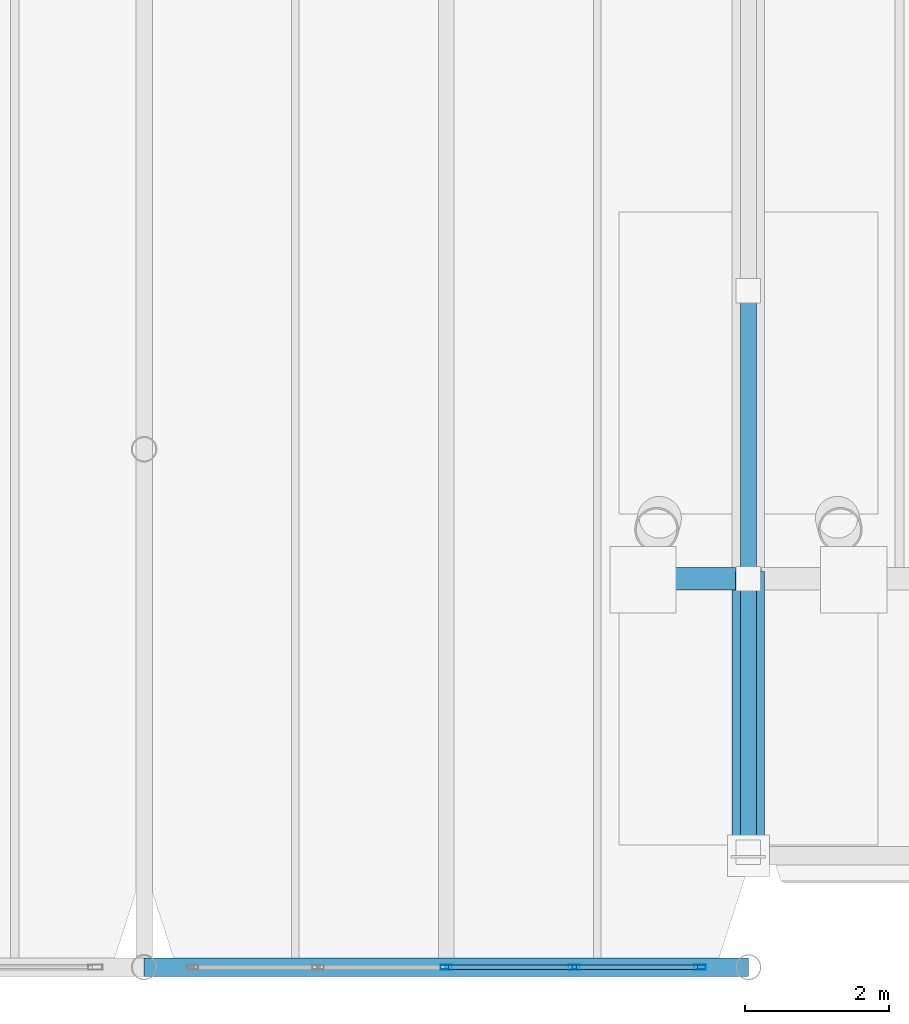
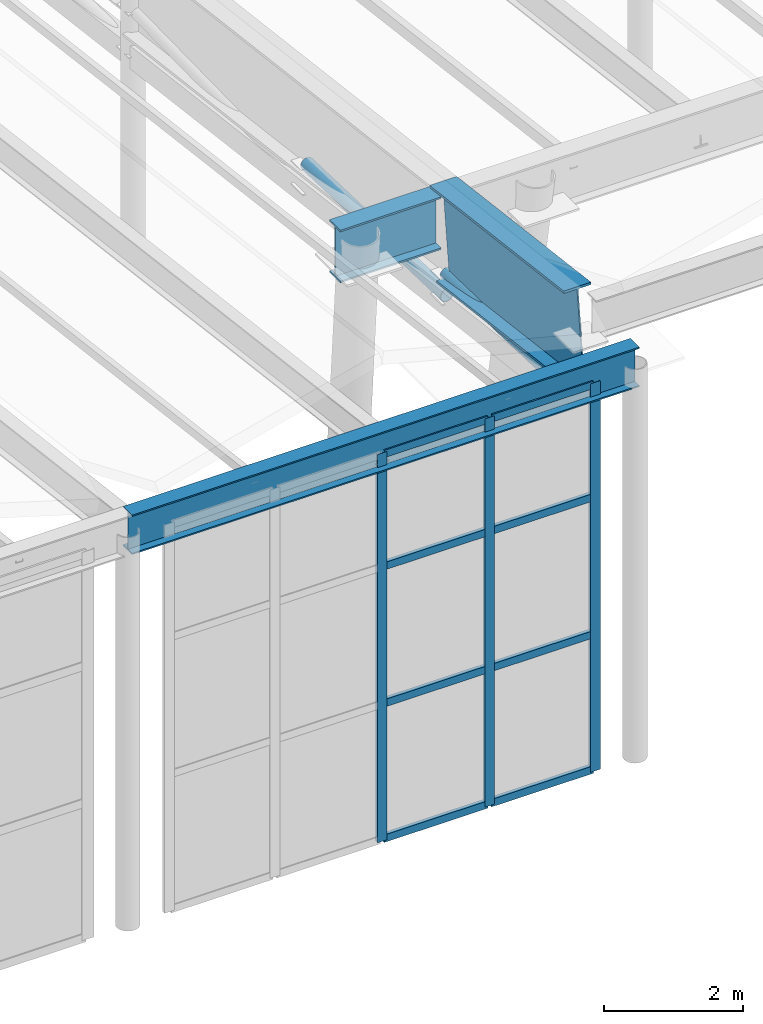
# One storey, part 4 of 14: 13 members, 3 beams, 1 element without a shape of its own.
"""IFC4 building model written with IfcOpenShell, lengths in metres."""

from ifc_helpers import new_model, si_unit, direction, frame, origin, origin_2d, place, context, subcontext, project, spatial, hollow_rectangle, hollow_circle, i_section, extrude, material, layer, layer_set, material_profile, profile_set, type_object, element, aggregate, save


model = new_model("IFC4")

# Units and contexts
model_context = context("Model", 3, precision=1e-05, world=origin(), true_north=direction((0.0, 1.0)))
body_context = subcontext(model_context, "Body", "Model", "MODEL_VIEW")
ifc_project = project(units=[si_unit("LENGTHUNIT", "METRE"), si_unit("AREAUNIT", "SQUARE_METRE"), si_unit("VOLUMEUNIT", "CUBIC_METRE"), si_unit("PLANEANGLEUNIT", "RADIAN"), si_unit("MASSUNIT", "GRAM", prefix="KILO")], contexts=[model_context])

# Site, building, storey
site_placement = place(None, origin())
site = spatial("IfcSite", under=ifc_project, at=site_placement, CompositionType="ELEMENT")
building_placement = place(site_placement, origin())
building = spatial("IfcBuilding", under=site, at=building_placement, Name="Xicomal Pleat Aquarium", CompositionType="ELEMENT")
storey_placement = place(building_placement, frame((0.0, 0.0, 24.0)))
storey = spatial("IfcBuildingStorey", under=building, at=storey_placement, Name="RF", CompositionType="ELEMENT", Elevation=24.0)

# Beams
ifc_material_1 = material(Name="Structural steel A992 Gr 50", Category="steel")
ifc_material_profile_1 = material_profile(ifc_material_1, i_section(OverallWidth=0.449951171875, OverallDepth=1.60009765625, WebThickness=0.02197265625, FlangeThickness=0.0400390625, at=origin_2d()), Name="IR 1600x540")
ifc_profile_set_1 = profile_set([ifc_material_profile_1], Name="Structural steel A992 Gr 50")
beam_type_1 = type_object("IfcBeamType", Name="BM-STL-IR1600", PredefinedType="BEAM", material=ifc_profile_set_1)
beam_1_placement = place(storey_placement, frame((18.60009765625, 2.35009765625, 6.426025390625), z_axis=(0.0, 0.992224543201, -0.124460659931), x_axis=(-1.0, 0.0, 0.0)))
element("IfcBeam", 1, at=beam_1_placement, inside=storey, type_object=beam_type_1, Name="RF pleated canopy girder 03-TIP", PredefinedType="BEAM", context=body_context, shape_type="SweptSolid", body=[
    extrude(i_section(OverallWidth=0.449951171875, OverallDepth=1.60009765625, WebThickness=0.02197265625, FlangeThickness=0.0400390625, at=origin_2d()), origin(), (0.0, 0.0, 1.0), 3.880126953125),
])
ifc_material_2 = material(Name="Structural steel A992 Gr 50", Category="steel")
ifc_material_profile_2 = material_profile(ifc_material_2, i_section(OverallWidth=0.256103515625, OverallDepth=0.693115234375, WebThickness=0.014404296875, FlangeThickness=0.023681640625, at=origin_2d()), Name="IR 690x170")
ifc_profile_set_2 = profile_set([ifc_material_profile_2], Name="Structural steel A992 Gr 50")
beam_type_2 = type_object("IfcBeamType", Name="BM-STL-IR690", PredefinedType="BEAM", material=ifc_profile_set_2)
beam_2_placement = place(storey_placement, frame((10.199951171875, 0.800048828125, 6.89111328125), z_axis=(1.0, 0.0, 0.0), x_axis=(0.0, 1.0, 0.0)))
element("IfcBeam", 2, at=beam_2_placement, inside=storey, type_object=beam_type_2, Name="RF T1 ring girder S 02-03", PredefinedType="BEAM", context=body_context, shape_type="SweptSolid", body=[
    extrude(i_section(OverallWidth=0.256103515625, OverallDepth=0.693115234375, WebThickness=0.014404296875, FlangeThickness=0.023681640625, at=origin_2d()), origin(), (0.0, 0.0, 1.0), 8.400146484375),
])
ifc_material_3 = material(Name="Structural steel A992 Gr 50", Category="steel")
ifc_material_profile_3 = material_profile(ifc_material_3, i_section(OverallWidth=0.306884765625, OverallDepth=0.923095703125, WebThickness=0.018310546875, FlangeThickness=0.030029296875, at=origin_2d()), Name="IR 920x271")
ifc_profile_set_3 = profile_set([ifc_material_profile_3], Name="Structural steel A992 Gr 50")
beam_type_3 = type_object("IfcBeamType", Name="BM-STL-IR920", PredefinedType="BEAM", material=ifc_profile_set_3)
beam_3_placement = place(storey_placement, frame((16.75, 6.199951171875, 6.212890625), z_axis=(1.0, 0.0, 0.0), x_axis=(0.0, 1.0, 0.0)))
element("IfcBeam", 3, at=beam_3_placement, inside=storey, type_object=beam_type_3, Name="Forecourt splayed column prop girder 03W", PredefinedType="BEAM", context=body_context, shape_type="SweptSolid", body=[
    extrude(i_section(OverallWidth=0.306884765625, OverallDepth=0.923095703125, WebThickness=0.018310546875, FlangeThickness=0.030029296875, at=origin_2d()), origin(), (0.0, 0.0, 1.0), 1.669921875),
])

# Curtain wall, members
ifc_material_4 = material(Name="Bronze anodized aluminium 6063-T6", Category="aluminium")
ifc_layer = layer(ifc_material_4, 0.159912109375)
ifc_layer_set = layer_set([ifc_layer], Name="Bronze anodized aluminium 6063-T6")
curtain_wall_type = type_object("IfcCurtainWallType", Name="CW-SYS-03", PredefinedType="NOTDEFINED", material=ifc_layer_set)
curtain_wall_placement = place(storey_placement, origin())
curtain_wall = element("IfcCurtainWall", 4, at=curtain_wall_placement, inside=storey, type_object=curtain_wall_type, Name="RF pleated crown clerestory curtain wall CW-RF-03", PredefinedType="NOTDEFINED")
ifc_material_5 = material(Name="Bronze anodized aluminium 6063-T6", Category="aluminium")
ifc_material_profile_4 = material_profile(ifc_material_5, hollow_rectangle(XDim=0.06494140625, YDim=0.159912109375, WallThickness=0.00390625, at=origin_2d()), Name="ALU MULL 65x160")
ifc_profile_set_4 = profile_set([ifc_material_profile_4], Name="Bronze anodized aluminium 6063-T6")
member_type_1 = type_object("IfcMemberType", Name="CWM-65x160", PredefinedType="MULLION", material=ifc_profile_set_4)
member_1_placement = place(storey_placement, frame((14.39990234375, 0.800048828125, 0.0), z_axis=(0.0, 0.0, 1.0), x_axis=(0.0, 1.0, 0.0)))
member_1 = element("IfcMember", 5, at=member_1_placement, type_object=member_type_1, Name="CW-03 mullion 3", PredefinedType="MULLION", context=body_context, shape_type="SweptSolid", body=[
    extrude(hollow_rectangle(XDim=0.06494140625, YDim=0.159912109375, WallThickness=0.00390625, at=origin_2d()), origin(), (0.0, 0.0, 1.0), 6.800048828125),
])
member_2_placement = place(storey_placement, frame((16.179931640625, 0.800048828125, 0.0), z_axis=(0.0, 0.0, 1.0), x_axis=(0.0, 1.0, 0.0)))
member_2 = element("IfcMember", 6, at=member_2_placement, type_object=member_type_1, Name="CW-03 mullion 4", PredefinedType="MULLION", context=body_context, shape_type="SweptSolid", body=[
    extrude(hollow_rectangle(XDim=0.06494140625, YDim=0.159912109375, WallThickness=0.00390625, at=origin_2d()), origin(), (0.0, 0.0, 1.0), 6.800048828125),
])
member_3_placement = place(storey_placement, frame((17.927490234375, 0.800048828125, 0.0), z_axis=(0.0, 0.0, 1.0), x_axis=(0.0, 1.0, 0.0)))
member_3 = element("IfcMember", 7, at=member_3_placement, type_object=member_type_1, Name="CW-03 mullion 5", PredefinedType="MULLION", context=body_context, shape_type="SweptSolid", body=[
    extrude(hollow_rectangle(XDim=0.06494140625, YDim=0.159912109375, WallThickness=0.00390625, at=origin_2d()), origin(), (0.0, 0.0, 1.0), 6.800048828125),
])
ifc_material_6 = material(Name="Bronze anodized aluminium 6063-T6", Category="aluminium")
ifc_material_profile_5 = material_profile(ifc_material_6, hollow_rectangle(XDim=0.06494140625, YDim=0.1298828125, WallThickness=0.00390625, at=origin_2d()), Name="ALU TRAN 65x130")
ifc_profile_set_5 = profile_set([ifc_material_profile_5], Name="Bronze anodized aluminium 6063-T6")
member_type_2 = type_object("IfcMemberType", Name="CWT-65x130", PredefinedType="USERDEFINED", material=ifc_profile_set_5)
member_4_placement = place(storey_placement, frame((14.4326171875, 0.800048828125, 0.032470703125), z_axis=(1.0, 0.0, 0.0), x_axis=(0.0, 1.0, 0.0)))
member_4 = element("IfcMember", 8, at=member_4_placement, type_object=member_type_2, Name="CW-03 transom 3.1", ObjectType="TRANSOM", PredefinedType="USERDEFINED", context=body_context, shape_type="SweptSolid", body=[
    extrude(hollow_rectangle(XDim=0.06494140625, YDim=0.1298828125, WallThickness=0.00390625, at=origin_2d()), origin(), (0.0, 0.0, 1.0), 1.71484375),
])
member_5_placement = place(storey_placement, frame((14.4326171875, 0.800048828125, 2.39990234375), z_axis=(1.0, 0.0, 0.0), x_axis=(0.0, 1.0, 0.0)))
member_5 = element("IfcMember", 9, at=member_5_placement, type_object=member_type_2, Name="CW-03 transom 3.2", ObjectType="TRANSOM", PredefinedType="USERDEFINED", context=body_context, shape_type="SweptSolid", body=[
    extrude(hollow_rectangle(XDim=0.06494140625, YDim=0.1298828125, WallThickness=0.00390625, at=origin_2d()), origin(), (0.0, 0.0, 1.0), 1.71484375),
])
member_6_placement = place(storey_placement, frame((14.4326171875, 0.800048828125, 4.800048828125), z_axis=(1.0, 0.0, 0.0), x_axis=(0.0, 1.0, 0.0)))
member_6 = element("IfcMember", 10, at=member_6_placement, type_object=member_type_2, Name="CW-03 transom 3.3", ObjectType="TRANSOM", PredefinedType="USERDEFINED", context=body_context, shape_type="SweptSolid", body=[
    extrude(hollow_rectangle(XDim=0.06494140625, YDim=0.1298828125, WallThickness=0.00390625, at=origin_2d()), origin(), (0.0, 0.0, 1.0), 1.71484375),
])
member_7_placement = place(storey_placement, frame((14.4326171875, 0.800048828125, 6.767578125), z_axis=(1.0, 0.0, 0.0), x_axis=(0.0, 1.0, 0.0)))
member_7 = element("IfcMember", 11, at=member_7_placement, type_object=member_type_2, Name="CW-03 transom 3.4", ObjectType="TRANSOM", PredefinedType="USERDEFINED", context=body_context, shape_type="SweptSolid", body=[
    extrude(hollow_rectangle(XDim=0.06494140625, YDim=0.1298828125, WallThickness=0.00390625, at=origin_2d()), origin(), (0.0, 0.0, 1.0), 1.71484375),
])
member_8_placement = place(storey_placement, frame((16.21240234375, 0.800048828125, 0.032470703125), z_axis=(1.0, 0.0, 0.0), x_axis=(0.0, 1.0, 0.0)))
member_8 = element("IfcMember", 12, at=member_8_placement, type_object=member_type_2, Name="CW-03 transom 4.1", ObjectType="TRANSOM", PredefinedType="USERDEFINED", context=body_context, shape_type="SweptSolid", body=[
    extrude(hollow_rectangle(XDim=0.06494140625, YDim=0.1298828125, WallThickness=0.00390625, at=origin_2d()), origin(), (0.0, 0.0, 1.0), 1.6826171875),
])
member_9_placement = place(storey_placement, frame((16.21240234375, 0.800048828125, 2.39990234375), z_axis=(1.0, 0.0, 0.0), x_axis=(0.0, 1.0, 0.0)))
member_9 = element("IfcMember", 13, at=member_9_placement, type_object=member_type_2, Name="CW-03 transom 4.2", ObjectType="TRANSOM", PredefinedType="USERDEFINED", context=body_context, shape_type="SweptSolid", body=[
    extrude(hollow_rectangle(XDim=0.06494140625, YDim=0.1298828125, WallThickness=0.00390625, at=origin_2d()), origin(), (0.0, 0.0, 1.0), 1.6826171875),
])
member_10_placement = place(storey_placement, frame((16.21240234375, 0.800048828125, 4.800048828125), z_axis=(1.0, 0.0, 0.0), x_axis=(0.0, 1.0, 0.0)))
member_10 = element("IfcMember", 14, at=member_10_placement, type_object=member_type_2, Name="CW-03 transom 4.3", ObjectType="TRANSOM", PredefinedType="USERDEFINED", context=body_context, shape_type="SweptSolid", body=[
    extrude(hollow_rectangle(XDim=0.06494140625, YDim=0.1298828125, WallThickness=0.00390625, at=origin_2d()), origin(), (0.0, 0.0, 1.0), 1.6826171875),
])
member_11_placement = place(storey_placement, frame((16.21240234375, 0.800048828125, 6.767578125), z_axis=(1.0, 0.0, 0.0), x_axis=(0.0, 1.0, 0.0)))
member_11 = element("IfcMember", 15, at=member_11_placement, type_object=member_type_2, Name="CW-03 transom 4.4", ObjectType="TRANSOM", PredefinedType="USERDEFINED", context=body_context, shape_type="SweptSolid", body=[
    extrude(hollow_rectangle(XDim=0.06494140625, YDim=0.1298828125, WallThickness=0.00390625, at=origin_2d()), origin(), (0.0, 0.0, 1.0), 1.6826171875),
])
aggregate(curtain_wall, [member_1, member_2, member_3, member_4, member_5, member_6, member_7, member_8, member_9, member_10, member_11])

# Members
ifc_material_7 = material(Name="Structural steel A500 Gr C", Category="steel")
ifc_material_profile_6 = material_profile(ifc_material_7, hollow_circle(Radius=0.109619140625, WallThickness=0.011962890625, at=origin_2d()), Name="OC 219x12")
ifc_profile_set_6 = profile_set([ifc_material_profile_6], Name="Structural steel A500 Gr C")
member_type_3 = type_object("IfcMemberType", Name="MEM-BR-OC219", PredefinedType="BRACE", material=ifc_profile_set_6)
member_12_placement = place(storey_placement, frame((18.60009765625, 2.39990234375, 5.27001953125), z_axis=(0.0, 0.999674882062, -0.025497650381), x_axis=(-1.0, 0.0, 0.0)))
element("IfcMember", 16, at=member_12_placement, inside=storey, type_object=member_type_3, Name="RF cantilever truss diagonal 03-1", PredefinedType="BRACE", context=body_context, shape_type="SweptSolid", body=[
    extrude(hollow_circle(Radius=0.109619140625, WallThickness=0.011962890625, at=origin_2d()), origin(), (0.0, 0.0, 1.0), 3.80126953125),
])
member_13_placement = place(storey_placement, frame((18.60009765625, 6.199951171875, 4.79296875), z_axis=(0.0, 0.99952719386, -0.03074717442), x_axis=(-1.0, 0.0, 0.0)))
element("IfcMember", 17, at=member_13_placement, inside=storey, type_object=member_type_3, Name="RF cantilever truss diagonal 03-2", PredefinedType="BRACE", context=body_context, shape_type="SweptSolid", body=[
    extrude(hollow_circle(Radius=0.109619140625, WallThickness=0.011962890625, at=origin_2d()), origin(), (0.0, 0.0, 1.0), 4.001953125),
])

save(model, "model.ifc")
